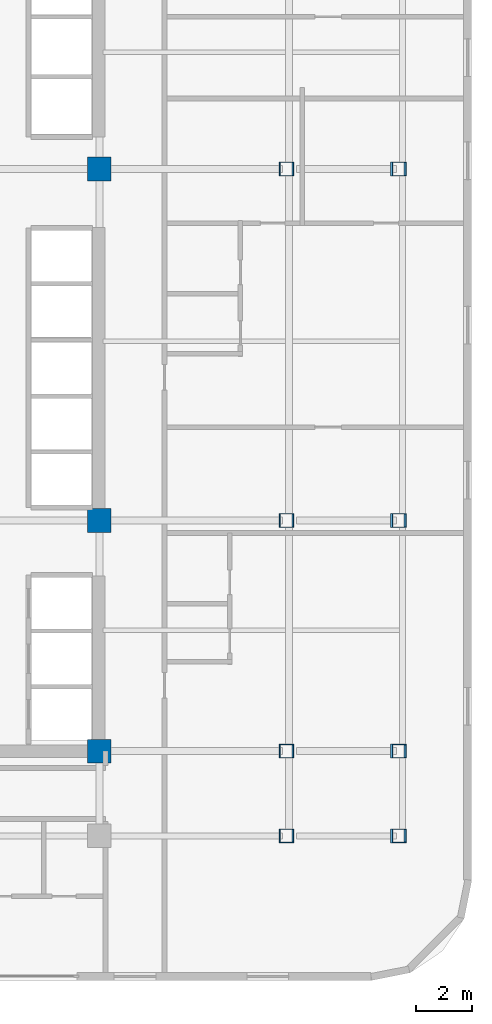
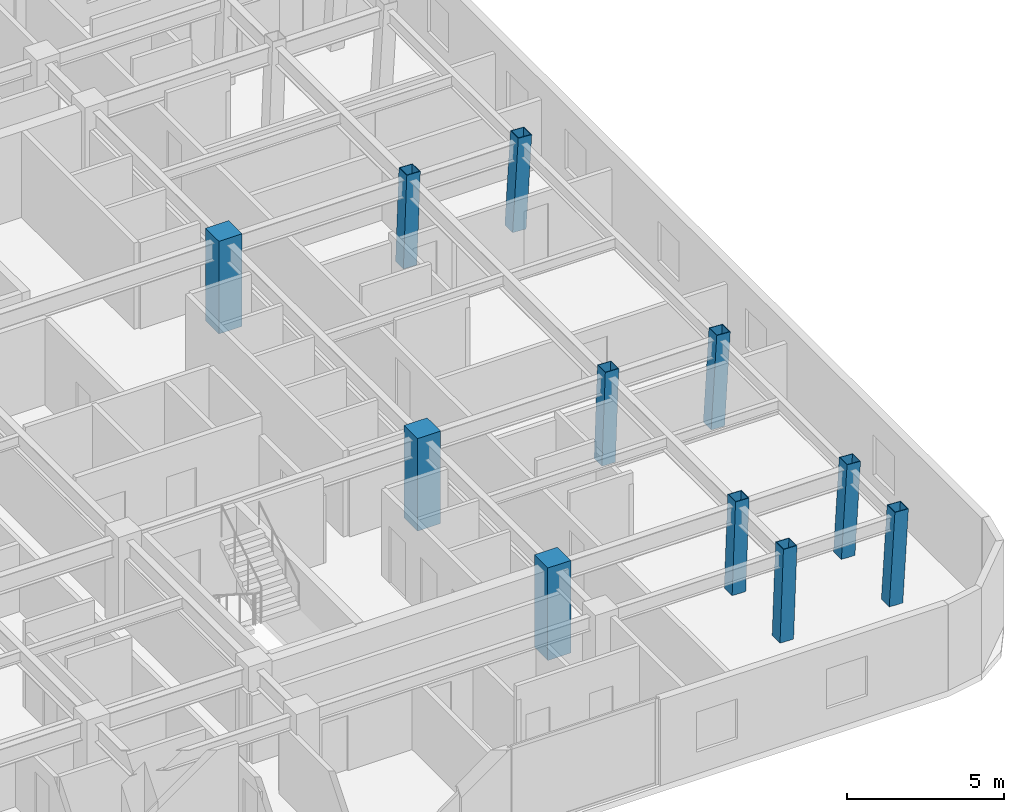
# One storey, part 2 of 13: 11 columns.
"""IFC4 building model written with IfcOpenShell, lengths in metres."""

from ifc_helpers import new_model, si_unit, direction, frame, origin, origin_2d, place, context, subcontext, project, spatial, rectangle, hollow_rectangle, extrude, material, material_profile, profile_set, type_object, element, save


model = new_model("IFC4")

# Units and contexts
model_context = context("Model", 3, precision=1e-05, world=origin(), true_north=direction((0.0, 1.0)))
body_context = subcontext(model_context, "Body", "Model", "MODEL_VIEW")
ifc_project = project(units=[si_unit("LENGTHUNIT", "METRE"), si_unit("AREAUNIT", "SQUARE_METRE"), si_unit("VOLUMEUNIT", "CUBIC_METRE"), si_unit("PLANEANGLEUNIT", "RADIAN"), si_unit("MASSUNIT", "GRAM", prefix="KILO")], contexts=[model_context])

# Site, building, storey
site_placement = place(None, origin())
site = spatial("IfcSite", under=ifc_project, at=site_placement, CompositionType="ELEMENT")
building_placement = place(site_placement, origin())
building = spatial("IfcBuilding", under=site, at=building_placement, Name="Ochreholt Gables", CompositionType="ELEMENT")
storey_placement = place(building_placement, frame((0.0, 0.0, 56.39990234375)))
storey = spatial("IfcBuildingStorey", under=building, at=storey_placement, Name="L14", CompositionType="ELEMENT", Elevation=56.39990234375)

# Columns
ifc_material_1 = material(Name="Steel CSA G40.21 350W", Category="steel")
ifc_material_profile_1 = material_profile(ifc_material_1, hollow_rectangle(XDim=0.5, YDim=0.5, WallThickness=0.02197265625, at=origin_2d()), Name="HSS500X500X22")
ifc_profile_set_1 = profile_set([ifc_material_profile_1], Name="Steel CSA G40.21 350W")
column_type_1 = type_object("IfcColumnType", Name="COL-HSS500-RAK", PredefinedType="COLUMN", material=ifc_profile_set_1)
for number, where, z_axis, x_axis, name in (
    (1, (41.909912109375, 9.25, 0.0), (0.034971136209, 0.0, 0.999388322742), (0.0, 1.0, 0.0), "L14 Column EMY2"),
    (2, (41.909912109375, 17.550048828125, 0.0), (0.034971136209, 0.0, 0.999388322742), (0.0, 1.0, 0.0), "L14 Column EMY3"),
    (3, (41.909912109375, 30.199951171875, 0.0), (0.034971136209, 0.0, 0.999388322742), (0.0, 1.0, 0.0), "L14 Column EMY4"),
):
    element("IfcColumn", number, at=place(storey_placement, frame(where, z_axis=z_axis, x_axis=x_axis)), inside=storey, type_object=column_type_1, Name=name, PredefinedType="COLUMN", context=body_context, shape_type="SweptSolid", body=[
        extrude(hollow_rectangle(XDim=0.5, YDim=0.5, WallThickness=0.02197265625, at=origin_2d()), origin(), (0.0, 0.0, 1.0), 3.602294921875),
    ])
ifc_material_profile_2 = material_profile(ifc_material_1, hollow_rectangle(XDim=0.5, YDim=0.5, WallThickness=0.02197265625, at=origin_2d()), Name="HSS500X500X22")
ifc_profile_set_2 = profile_set([ifc_material_profile_2], Name="Steel CSA G40.21 350W")
column_type_2 = type_object("IfcColumnType", Name="COL-HSS500-RAKE", PredefinedType="COLUMN", material=ifc_profile_set_2)
column_placement = place(storey_placement, frame((41.909912109375, 6.199951171875, 0.0), z_axis=(0.034971136209, 0.0, 0.999388322742), x_axis=(0.0, 1.0, 0.0)))
element("IfcColumn", 4, at=column_placement, inside=storey, type_object=column_type_2, Name="L14 Column EMY1", PredefinedType="COLUMN", context=body_context, shape_type="SweptSolid", body=[
    extrude(hollow_rectangle(XDim=0.5, YDim=0.5, WallThickness=0.02197265625, at=origin_2d()), origin(), (0.0, 0.0, 1.0), 3.602294921875),
])
for number, where, z_axis, x_axis, name in (
    (5, (45.927978515625, 6.199951171875, 0.0), (0.057884606321, 0.0, 0.998323280481), (0.0, 1.0, 0.0), "L14 Column EEY1"),
    (6, (45.927978515625, 9.25, 0.0), (0.057884606321, 0.0, 0.998323280481), (0.0, 1.0, 0.0), "L14 Column EEY2"),
    (7, (45.927978515625, 17.550048828125, 0.0), (0.057884606321, 0.0, 0.998323280481), (0.0, 1.0, 0.0), "L14 Column EEY3"),
    (8, (45.927978515625, 30.199951171875, 0.0), (0.057884606321, 0.0, 0.998323280481), (0.0, 1.0, 0.0), "L14 Column EEY4"),
):
    element("IfcColumn", number, at=place(storey_placement, frame(where, z_axis=z_axis, x_axis=x_axis)), inside=storey, type_object=column_type_2, Name=name, PredefinedType="COLUMN", context=body_context, shape_type="SweptSolid", body=[
        extrude(hollow_rectangle(XDim=0.5, YDim=0.5, WallThickness=0.02197265625, at=origin_2d()), origin(), (0.0, 0.0, 1.0), 3.606201171875),
    ])
ifc_material_2 = material(Name="Concrete 60 MPa", Category="concrete")
ifc_material_profile_3 = material_profile(ifc_material_2, rectangle(XDim=0.85009765625, YDim=0.85009765625, at=origin_2d()), Name="RC850X850")
ifc_profile_set_3 = profile_set([ifc_material_profile_3], Name="Concrete 60 MPa")
column_type_3 = type_object("IfcColumnType", Name="COL-RC850-INT", PredefinedType="COLUMN", material=ifc_profile_set_3)
for number, where, z_axis, x_axis, name in (
    (9, (35.199951171875, 9.25, 0.0), (0.0, 0.0, 1.0), (1.0, 0.0, 0.0), "L14 Column C2Y2"),
    (10, (35.199951171875, 17.550048828125, 0.0), (0.0, 0.0, 1.0), (1.0, 0.0, 0.0), "L14 Column C2Y3"),
    (11, (35.199951171875, 30.199951171875, 0.0), (0.0, 0.0, 1.0), (1.0, 0.0, 0.0), "L14 Column C2Y4"),
):
    element("IfcColumn", number, at=place(storey_placement, frame(where, z_axis=z_axis, x_axis=x_axis)), inside=storey, type_object=column_type_3, Name=name, PredefinedType="COLUMN", context=body_context, shape_type="SweptSolid", body=[
        extrude(rectangle(XDim=0.85009765625, YDim=0.85009765625, at=origin_2d()), origin(), (0.0, 0.0, 1.0), 3.60009765625),
    ])

save(model, "model.ifc")
